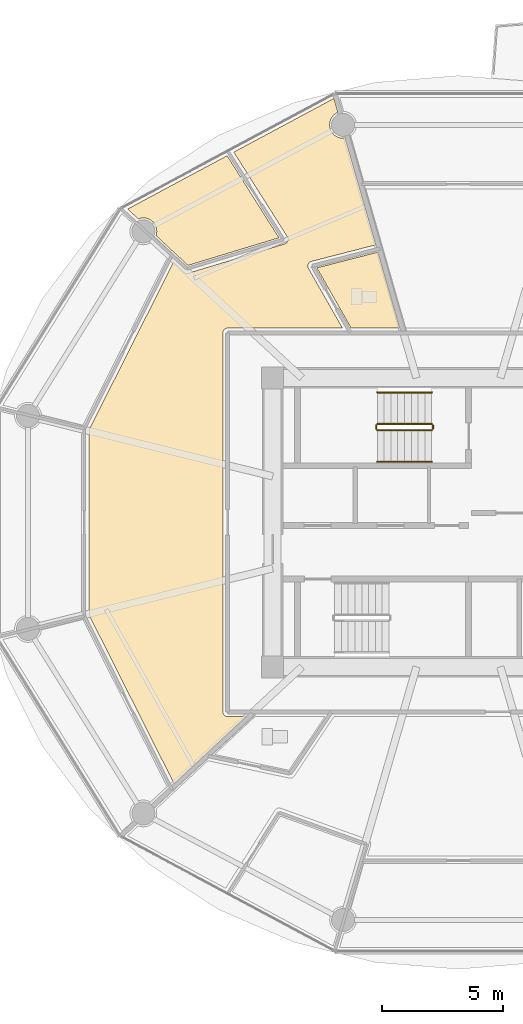
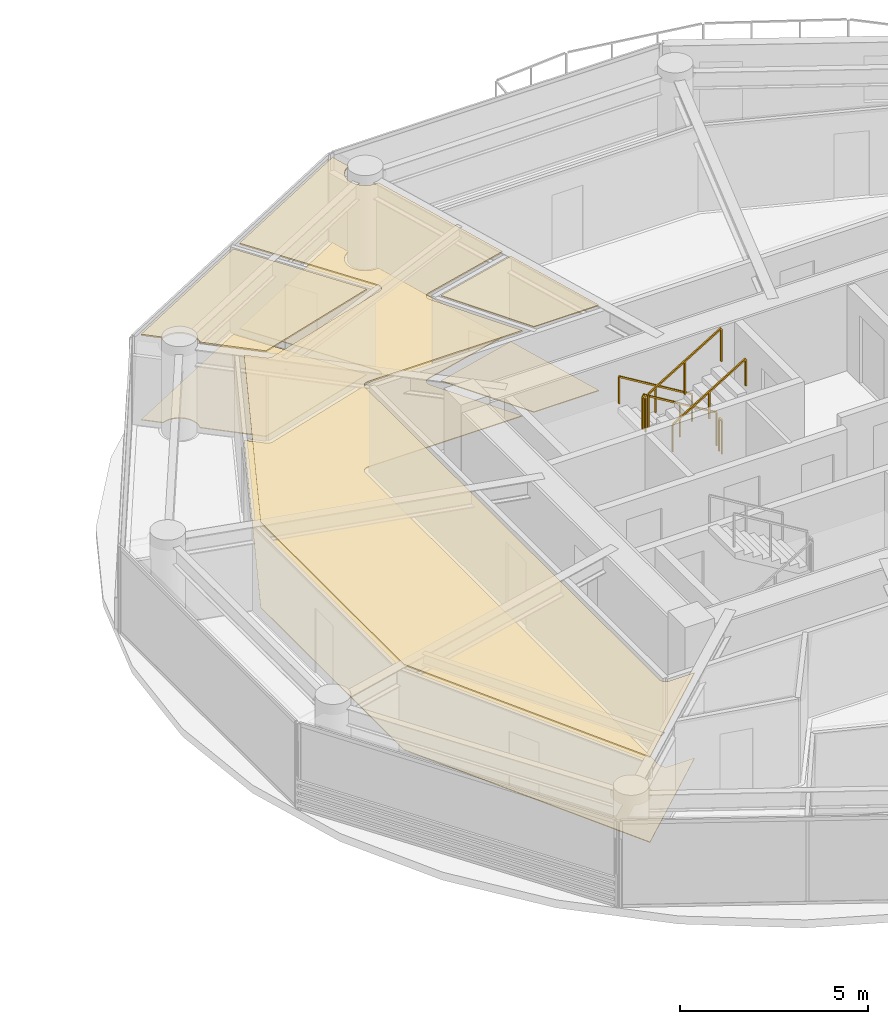
# One storey, part 28 of 31: 6 coverings, 6 railings.
"""IFC4 building model written with IfcOpenShell, lengths in metres."""

from ifc_helpers import new_model, si_unit, direction, frame, origin, origin_2d, place, context, subcontext, project, spatial, polyline, rectangle, outline, extrude, material, layer, layer_set, type_object, element, save


model = new_model("IFC4")

# Units and contexts
model_context = context("Model", 3, precision=1e-05, world=origin(), true_north=direction((0.0, 1.0)))
body_context = subcontext(model_context, "Body", "Model", "MODEL_VIEW")
ifc_project = project(units=[si_unit("LENGTHUNIT", "METRE"), si_unit("AREAUNIT", "SQUARE_METRE"), si_unit("VOLUMEUNIT", "CUBIC_METRE"), si_unit("PLANEANGLEUNIT", "RADIAN"), si_unit("MASSUNIT", "GRAM", prefix="KILO")], contexts=[model_context])

# Site, building, storey
site_placement = place(None, origin())
site = spatial("IfcSite", under=ifc_project, at=site_placement, CompositionType="ELEMENT")
building_placement = place(site_placement, origin())
building = spatial("IfcBuilding", under=site, at=building_placement, Name="Norrkilde Senior Care Towers", CompositionType="ELEMENT")
storey_placement = place(building_placement, frame((0.0, 0.0, 42.949951171875)))
storey = spatial("IfcBuildingStorey", under=building, at=storey_placement, Name="L12", CompositionType="ELEMENT", Elevation=42.949951171875)

# Coverings
ifc_material_1 = material(Name="Nordic Ash Timber", Category="wood")
ifc_layer_1 = layer(ifc_material_1, 0.044921875)
ifc_layer_set_1 = layer_set([ifc_layer_1], Name="Nordic Ash Timber")
covering_type_1 = type_object("IfcCoveringType", Name="Acoustic Ash Timber Slatted Ceiling 45", PredefinedType="CEILING", material=ifc_layer_set_1)
covering_1_placement = place(storey_placement, frame((0.0, 0.0, 2.7451171875)))
element("IfcCovering", 1, at=covering_1_placement, inside=storey, type_object=covering_type_1, Name="L12 Suspended Ceiling 0190", PredefinedType="CEILING", context=body_context, shape_type="SweptSolid", body=[
    extrude(outline(polyline([(18.447509765625, 7.992919921875), (18.436279296875, 7.989501953125), (18.428955078125, 7.98681640625), (18.41796875, 7.982421875), (18.410888671875, 7.97900390625), (18.400634765625, 7.973388671875), (18.393798828125, 7.969482421875), (18.384033203125, 7.962890625), (18.377685546875, 7.958251953125), (18.36865234375, 7.95068359375), (18.36279296875, 7.945556640625), (18.3544921875, 7.937255859375), (18.34912109375, 7.931396484375), (18.341796875, 7.92236328125), (18.337158203125, 7.916015625), (18.33056640625, 7.90625), (18.326416015625, 7.8994140625), (18.321044921875, 7.888916015625), (18.317626953125, 7.8818359375), (18.31298828125, 7.87109375), (18.310546875, 7.86376953125), (18.30712890625, 7.852294921875), (18.30517578125, 7.8447265625), (18.302734375, 7.833251953125), (18.3017578125, 7.825439453125), (18.300537109375, 7.813720703125), (18.300048828125, 7.805908203125), (18.300048828125, 7.800048828125), (18.300048828125, -7.800048828125), (18.300048828125, -7.805908203125), (18.300537109375, -7.813720703125), (18.3017578125, -7.825439453125), (18.302734375, -7.833251953125), (18.30517578125, -7.8447265625), (18.30712890625, -7.852294921875), (18.310546875, -7.86376953125), (18.31298828125, -7.87109375), (18.317626953125, -7.8818359375), (18.321044921875, -7.888916015625), (18.326416015625, -7.8994140625), (18.33056640625, -7.90625), (18.337158203125, -7.916015625), (18.341796875, -7.92236328125), (18.34912109375, -7.931396484375), (18.3544921875, -7.937255859375), (18.36279296875, -7.945556640625), (18.36865234375, -7.95068359375), (18.377685546875, -7.958251953125), (18.384033203125, -7.962890625), (18.393798828125, -7.969482421875), (18.400634765625, -7.973388671875), (18.410888671875, -7.97900390625), (18.41796875, -7.982421875), (18.428955078125, -7.98681640625), (18.436279296875, -7.989501953125), (18.447509765625, -7.992919921875), (18.455322265625, -7.994873046875), (18.466796875, -7.9970703125), (18.474609375, -7.998291015625), (18.486328125, -7.99951171875), (18.494140625, -7.999755859375), (18.5, -8.0), (19.27099609375, -8.0), (16.299560546875, -10.779296875), (12.78369140625, -3.80419921875), (12.78369140625, 3.80419921875), (16.2666015625, 10.714111328125), (16.701171875, 10.3076171875), (16.705322265625, 10.303955078125), (16.71044921875, 10.299560546875), (16.719482421875, 10.29248046875), (16.72509765625, 10.288818359375), (16.734619140625, 10.28271484375), (16.740478515625, 10.279541015625), (16.750732421875, 10.2744140625), (16.7568359375, 10.271484375), (16.767333984375, 10.267578125), (16.773681640625, 10.265380859375), (16.78466796875, 10.26220703125), (16.791259765625, 10.2607421875), (16.802490234375, 10.258544921875), (16.80908203125, 10.2578125), (16.8203125, 10.2568359375), (16.826904296875, 10.256591796875), (16.83837890625, 10.256591796875), (16.84521484375, 10.257080078125), (16.8564453125, 10.25830078125), (16.863037109375, 10.25927734375), (16.874267578125, 10.261474609375), (16.880615234375, 10.26318359375), (16.88623046875, 10.2646484375), (20.8515625, 11.46875), (20.857177734375, 11.470703125), (20.863525390625, 11.472900390625), (20.874267578125, 11.477294921875), (20.88037109375, 11.480224609375), (20.890625, 11.485595703125), (20.896484375, 11.489013671875), (20.90625, 11.49560546875), (20.91162109375, 11.49951171875), (20.920654296875, 11.5068359375), (20.92578125, 11.511474609375), (20.93408203125, 11.51953125), (20.9384765625, 11.5244140625), (20.946044921875, 11.533447265625), (20.9501953125, 11.538818359375), (20.95654296875, 11.54833984375), (20.960205078125, 11.55419921875), (20.9658203125, 11.564453125), (20.96875, 11.570556640625), (20.973388671875, 11.5810546875), (20.9755859375, 11.58740234375), (20.979248046875, 11.5986328125), (20.98095703125, 11.605224609375), (20.9833984375, 11.616455078125), (20.984375, 11.623291015625), (20.98583984375, 11.634765625), (20.986083984375, 11.6416015625), (20.986328125, 11.653076171875), (20.986083984375, 11.659912109375), (20.9853515625, 11.67138671875), (20.984375, 11.67822265625), (20.982421875, 11.689697265625), (20.98095703125, 11.6962890625), (20.977783203125, 11.707275390625), (20.9755859375, 11.7138671875), (20.971435546875, 11.724609375), (20.96875, 11.730712890625), (20.96337890625, 11.7412109375), (20.9599609375, 11.7470703125), (20.95703125, 11.751953125), (18.748779296875, 15.24755859375), (22.87353515625, 17.458984375), (23.039306640625, 16.88037109375), (22.97314453125, 16.85302734375), (22.858154296875, 16.764892578125), (22.77001953125, 16.64990234375), (22.714599609375, 16.51611328125), (22.695556640625, 16.37255859375), (22.714599609375, 16.228759765625), (22.77001953125, 16.094970703125), (22.858154296875, 15.97998046875), (22.97314453125, 15.891845703125), (23.10693359375, 15.83642578125), (23.250732421875, 15.8173828125), (23.34033203125, 15.829345703125), (24.60107421875, 11.42822265625), (21.939697265625, 10.74365234375), (21.934326171875, 10.7421875), (21.927734375, 10.739990234375), (21.916748046875, 10.736083984375), (21.91064453125, 10.7333984375), (21.900146484375, 10.728515625), (21.894287109375, 10.725341796875), (21.88427734375, 10.71923828125), (21.878662109375, 10.715576171875), (21.869384765625, 10.708740234375), (21.864013671875, 10.704345703125), (21.85546875, 10.696533203125), (21.8505859375, 10.69189453125), (21.843017578125, 10.683349609375), (21.838623046875, 10.677978515625), (21.83154296875, 10.668701171875), (21.827880859375, 10.6630859375), (21.82177734375, 10.6533203125), (21.818603515625, 10.647216796875), (21.8134765625, 10.63671875), (21.81103515625, 10.630615234375), (21.806884765625, 10.61962890625), (21.804931640625, 10.61328125), (21.802001953125, 10.60205078125), (21.800537109375, 10.595458984375), (21.798828125, 10.583984375), (21.798095703125, 10.5771484375), (21.79736328125, 10.565673828125), (21.797119140625, 10.558837890625), (21.797607421875, 10.54736328125), (21.798095703125, 10.54052734375), (21.799560546875, 10.529052734375), (21.80078125, 10.5224609375), (21.803466796875, 10.51123046875), (21.805419921875, 10.504638671875), (21.80908203125, 10.49365234375), (21.8115234375, 10.4873046875), (21.816162109375, 10.476806640625), (21.8193359375, 10.470703125), (21.822021484375, 10.465576171875), (23.22607421875, 8.0), (18.5, 8.0), (18.494140625, 7.999755859375), (18.486328125, 7.99951171875), (18.474609375, 7.998291015625), (18.466796875, 7.9970703125), (18.455322265625, 7.994873046875), (18.447509765625, 7.992919921875)])), origin(), (0.0, 0.0, 1.0), 0.044921875),
])
covering_2_placement = place(storey_placement, frame((0.0, 0.0, 2.7451171875)))
element("IfcCovering", 2, at=covering_2_placement, inside=storey, type_object=covering_type_1, Name="L12 Suspended Ceiling 0192", PredefinedType="CEILING", context=body_context, shape_type="SweptSolid", body=[
    extrude(outline(polyline([(15.5478515625, 11.810791015625), (15.560791015625, 11.841796875), (15.57958984375, 11.9853515625), (15.560791015625, 12.129150390625), (15.505126953125, 12.262939453125), (15.4169921875, 12.3779296875), (15.302001953125, 12.466064453125), (15.168212890625, 12.521484375), (15.024658203125, 12.54052734375), (14.880859375, 12.521484375), (14.816650390625, 12.494873046875), (14.37890625, 12.904296875), (18.474853515625, 15.1005859375), (20.61083984375, 11.7197265625), (16.8623046875, 10.581298828125), (15.5478515625, 11.810791015625)])), origin(), (0.0, 0.0, 1.0), 0.044921875),
])
ifc_material_2 = material(Name="Gypsum Acoustic Board")
ifc_layer_2 = layer(ifc_material_2, 0.030029296875)
ifc_layer_set_2 = layer_set([ifc_layer_2], Name="Gypsum Acoustic Board")
covering_type_2 = type_object("IfcCoveringType", Name="Medical Cleanable Gypsum Ceiling 30", PredefinedType="CEILING", material=ifc_layer_set_2)
covering_3_placement = place(storey_placement, frame((0.0, 0.0, 2.760009765625)))
element("IfcCovering", 3, at=covering_3_placement, inside=storey, type_object=covering_type_2, Name="L12 Suspended Ceiling 0191", PredefinedType="CEILING", context=body_context, shape_type="SweptSolid", body=[
    extrude(outline(polyline([(24.681640625, 11.12890625), (25.57958984375, 8.0), (23.582763671875, 8.0), (22.169189453125, 10.482666015625), (24.681640625, 11.12890625)])), origin(), (0.0, 0.0, 1.0), 0.030029296875),
])
ifc_material_3 = material(Name="Slip-Resistant Porcelain Stone", Category="masonry")
ifc_layer_3 = layer(ifc_material_3, 0.02490234375)
ifc_layer_set_3 = layer_set([ifc_layer_3], Name="Slip-Resistant Porcelain Stone")
covering_type_3 = type_object("IfcCoveringType", Name="Slip-Resistant Porcelain Flooring 25", PredefinedType="FLOORING", material=ifc_layer_set_3)
covering_4_placement = place(storey_placement, origin())
element("IfcCovering", 4, at=covering_4_placement, inside=storey, type_object=covering_type_3, Name="L12 Floor Finish 0190", PredefinedType="FLOORING", context=body_context, shape_type="SweptSolid", body=[
    extrude(outline(polyline([(18.447509765625, 7.992919921875), (18.436279296875, 7.989501953125), (18.428955078125, 7.98681640625), (18.41796875, 7.982421875), (18.410888671875, 7.97900390625), (18.400634765625, 7.973388671875), (18.393798828125, 7.969482421875), (18.384033203125, 7.962890625), (18.377685546875, 7.958251953125), (18.36865234375, 7.95068359375), (18.36279296875, 7.945556640625), (18.3544921875, 7.937255859375), (18.34912109375, 7.931396484375), (18.341796875, 7.92236328125), (18.337158203125, 7.916015625), (18.33056640625, 7.90625), (18.326416015625, 7.8994140625), (18.321044921875, 7.888916015625), (18.317626953125, 7.8818359375), (18.31298828125, 7.87109375), (18.310546875, 7.86376953125), (18.30712890625, 7.852294921875), (18.30517578125, 7.8447265625), (18.302734375, 7.833251953125), (18.3017578125, 7.825439453125), (18.300537109375, 7.813720703125), (18.300048828125, 7.805908203125), (18.300048828125, 7.800048828125), (18.300048828125, -7.800048828125), (18.300048828125, -7.805908203125), (18.300537109375, -7.813720703125), (18.3017578125, -7.825439453125), (18.302734375, -7.833251953125), (18.30517578125, -7.8447265625), (18.30712890625, -7.852294921875), (18.310546875, -7.86376953125), (18.31298828125, -7.87109375), (18.317626953125, -7.8818359375), (18.321044921875, -7.888916015625), (18.326416015625, -7.8994140625), (18.33056640625, -7.90625), (18.337158203125, -7.916015625), (18.341796875, -7.92236328125), (18.34912109375, -7.931396484375), (18.3544921875, -7.937255859375), (18.36279296875, -7.945556640625), (18.36865234375, -7.95068359375), (18.377685546875, -7.958251953125), (18.384033203125, -7.962890625), (18.393798828125, -7.969482421875), (18.400634765625, -7.973388671875), (18.410888671875, -7.97900390625), (18.41796875, -7.982421875), (18.428955078125, -7.98681640625), (18.436279296875, -7.989501953125), (18.447509765625, -7.992919921875), (18.455322265625, -7.994873046875), (18.466796875, -7.9970703125), (18.474609375, -7.998291015625), (18.486328125, -7.99951171875), (18.494140625, -7.999755859375), (18.5, -8.0), (19.27099609375, -8.0), (16.299560546875, -10.779296875), (12.78369140625, -3.80419921875), (12.78369140625, 3.80419921875), (16.2666015625, 10.714111328125), (16.701171875, 10.3076171875), (16.705322265625, 10.303955078125), (16.71044921875, 10.299560546875), (16.719482421875, 10.29248046875), (16.72509765625, 10.288818359375), (16.734619140625, 10.28271484375), (16.740478515625, 10.279541015625), (16.750732421875, 10.2744140625), (16.7568359375, 10.271484375), (16.767333984375, 10.267578125), (16.773681640625, 10.265380859375), (16.78466796875, 10.26220703125), (16.791259765625, 10.2607421875), (16.802490234375, 10.258544921875), (16.80908203125, 10.2578125), (16.8203125, 10.2568359375), (16.826904296875, 10.256591796875), (16.83837890625, 10.256591796875), (16.84521484375, 10.257080078125), (16.8564453125, 10.25830078125), (16.863037109375, 10.25927734375), (16.874267578125, 10.261474609375), (16.880615234375, 10.26318359375), (16.88623046875, 10.2646484375), (20.8515625, 11.46875), (20.857177734375, 11.470703125), (20.863525390625, 11.472900390625), (20.874267578125, 11.477294921875), (20.88037109375, 11.480224609375), (20.890625, 11.485595703125), (20.896484375, 11.489013671875), (20.90625, 11.49560546875), (20.91162109375, 11.49951171875), (20.920654296875, 11.5068359375), (20.92578125, 11.511474609375), (20.93408203125, 11.51953125), (20.9384765625, 11.5244140625), (20.946044921875, 11.533447265625), (20.9501953125, 11.538818359375), (20.95654296875, 11.54833984375), (20.960205078125, 11.55419921875), (20.9658203125, 11.564453125), (20.96875, 11.570556640625), (20.973388671875, 11.5810546875), (20.9755859375, 11.58740234375), (20.979248046875, 11.5986328125), (20.98095703125, 11.605224609375), (20.9833984375, 11.616455078125), (20.984375, 11.623291015625), (20.98583984375, 11.634765625), (20.986083984375, 11.6416015625), (20.986328125, 11.653076171875), (20.986083984375, 11.659912109375), (20.9853515625, 11.67138671875), (20.984375, 11.67822265625), (20.982421875, 11.689697265625), (20.98095703125, 11.6962890625), (20.977783203125, 11.707275390625), (20.9755859375, 11.7138671875), (20.971435546875, 11.724609375), (20.96875, 11.730712890625), (20.96337890625, 11.7412109375), (20.9599609375, 11.7470703125), (20.95703125, 11.751953125), (18.748779296875, 15.24755859375), (22.87353515625, 17.458984375), (23.039306640625, 16.88037109375), (22.97314453125, 16.85302734375), (22.858154296875, 16.764892578125), (22.77001953125, 16.64990234375), (22.714599609375, 16.51611328125), (22.695556640625, 16.37255859375), (22.714599609375, 16.228759765625), (22.77001953125, 16.094970703125), (22.858154296875, 15.97998046875), (22.97314453125, 15.891845703125), (23.10693359375, 15.83642578125), (23.250732421875, 15.8173828125), (23.34033203125, 15.829345703125), (24.60107421875, 11.42822265625), (21.939697265625, 10.74365234375), (21.934326171875, 10.7421875), (21.927734375, 10.739990234375), (21.916748046875, 10.736083984375), (21.91064453125, 10.7333984375), (21.900146484375, 10.728515625), (21.894287109375, 10.725341796875), (21.88427734375, 10.71923828125), (21.878662109375, 10.715576171875), (21.869384765625, 10.708740234375), (21.864013671875, 10.704345703125), (21.85546875, 10.696533203125), (21.8505859375, 10.69189453125), (21.843017578125, 10.683349609375), (21.838623046875, 10.677978515625), (21.83154296875, 10.668701171875), (21.827880859375, 10.6630859375), (21.82177734375, 10.6533203125), (21.818603515625, 10.647216796875), (21.8134765625, 10.63671875), (21.81103515625, 10.630615234375), (21.806884765625, 10.61962890625), (21.804931640625, 10.61328125), (21.802001953125, 10.60205078125), (21.800537109375, 10.595458984375), (21.798828125, 10.583984375), (21.798095703125, 10.5771484375), (21.79736328125, 10.565673828125), (21.797119140625, 10.558837890625), (21.797607421875, 10.54736328125), (21.798095703125, 10.54052734375), (21.799560546875, 10.529052734375), (21.80078125, 10.5224609375), (21.803466796875, 10.51123046875), (21.805419921875, 10.504638671875), (21.80908203125, 10.49365234375), (21.8115234375, 10.4873046875), (21.816162109375, 10.476806640625), (21.8193359375, 10.470703125), (21.822021484375, 10.465576171875), (23.22607421875, 8.0), (18.5, 8.0), (18.494140625, 7.999755859375), (18.486328125, 7.99951171875), (18.474609375, 7.998291015625), (18.466796875, 7.9970703125), (18.455322265625, 7.994873046875), (18.447509765625, 7.992919921875)])), origin(), (0.0, 0.0, 1.0), 0.025146484375),
])
covering_5_placement = place(storey_placement, origin())
element("IfcCovering", 5, at=covering_5_placement, inside=storey, type_object=covering_type_3, Name="L12 Floor Finish 0191", PredefinedType="FLOORING", context=body_context, shape_type="SweptSolid", body=[
    extrude(outline(polyline([(24.681640625, 11.12890625), (25.57958984375, 8.0), (23.582763671875, 8.0), (22.169189453125, 10.482666015625), (24.681640625, 11.12890625)])), origin(), (0.0, 0.0, 1.0), 0.025146484375),
])
covering_6_placement = place(storey_placement, origin())
element("IfcCovering", 6, at=covering_6_placement, inside=storey, type_object=covering_type_3, Name="L12 Floor Finish 0192", PredefinedType="FLOORING", context=body_context, shape_type="SweptSolid", body=[
    extrude(outline(polyline([(15.5478515625, 11.810791015625), (15.560791015625, 11.841796875), (15.57958984375, 11.9853515625), (15.560791015625, 12.129150390625), (15.505126953125, 12.262939453125), (15.4169921875, 12.3779296875), (15.302001953125, 12.466064453125), (15.168212890625, 12.521484375), (15.024658203125, 12.54052734375), (14.880859375, 12.521484375), (14.816650390625, 12.494873046875), (14.37890625, 12.904296875), (18.474853515625, 15.1005859375), (20.61083984375, 11.7197265625), (16.8623046875, 10.581298828125), (15.5478515625, 11.810791015625)])), origin(), (0.0, 0.0, 1.0), 0.025146484375),
])

# Railings
ifc_material_4 = material(Name="Stainless Steel", Category="steel")
railing_type_1 = type_object("IfcRailingType", Name="Stair and Terrace Guardrail 1100", PredefinedType="GUARDRAIL", material=ifc_material_4)
railing_1_placement = place(storey_placement, frame((26.89990234375, 4.050048828125, 0.16943359375)))
element("IfcRailing", 7, at=railing_1_placement, inside=storey, type_object=railing_type_1, Name="L12 ST-E1 stair guard 1", PredefinedType="GUARDRAIL", context=body_context, shape_type="SweptSolid", body=[
    extrude(rectangle(XDim=0.048095703125, YDim=0.048095703125, at=origin_2d()), frame((0.0, 0.0, 1.076171875), z_axis=(-0.855512035549, 0.0, 0.517782924622), x_axis=(0.0, -1.0, 0.0)), (0.0, 0.0, 1.0), 2.618408203125),
    extrude(rectangle(XDim=0.0419921875, YDim=0.0419921875, at=origin_2d()), origin(), (0.0, 0.0, 1.0), 1.050048828125),
    extrude(rectangle(XDim=0.0419921875, YDim=0.0419921875, at=origin_2d()), frame((-1.1201171875, 0.0, 0.677734375)), (0.0, 0.0, 1.0), 1.050048828125),
    extrude(rectangle(XDim=0.0419921875, YDim=0.0419921875, at=origin_2d()), frame((-2.239990234375, 0.0, 1.355712890625)), (0.0, 0.0, 1.0), 1.050048828125),
])
railing_2_placement = place(storey_placement, frame((24.610107421875, 4.0, 1.525146484375)))
element("IfcRailing", 8, at=railing_2_placement, inside=storey, type_object=railing_type_1, Name="L12 ST-E1 stair guard 2", PredefinedType="GUARDRAIL", context=body_context, shape_type="SweptSolid", body=[
    extrude(rectangle(XDim=0.048095703125, YDim=0.048095703125, at=origin_2d()), frame((0.0, 0.0, 1.076171875), z_axis=(0.0, -1.0, 0.0), x_axis=(1.0, 0.0, 0.0)), (0.0, 0.0, 1.0), 0.14990234375),
    extrude(rectangle(XDim=0.0419921875, YDim=0.0419921875, at=origin_2d()), origin(), (0.0, 0.0, 1.0), 1.050048828125),
    extrude(rectangle(XDim=0.0419921875, YDim=0.0419921875, at=origin_2d()), frame((0.0, -0.14990234375, 0.0)), (0.0, 0.0, 1.0), 1.050048828125),
])
railing_3_placement = place(storey_placement, frame((24.659912109375, 3.800048828125, 1.694580078125)))
element("IfcRailing", 9, at=railing_3_placement, inside=storey, type_object=railing_type_1, Name="L12 ST-E1 stair guard 3", PredefinedType="GUARDRAIL", context=body_context, shape_type="SweptSolid", body=[
    extrude(rectangle(XDim=0.048095703125, YDim=0.048095703125, at=origin_2d()), frame((0.0, 0.0, 1.076171875), z_axis=(0.855553338991, 0.0, 0.51771467445), x_axis=(0.0, 1.0, 0.0)), (0.0, 0.0, 1.0), 2.6181640625),
    extrude(rectangle(XDim=0.0419921875, YDim=0.0419921875, at=origin_2d()), origin(), (0.0, 0.0, 1.0), 1.050048828125),
    extrude(rectangle(XDim=0.0419921875, YDim=0.0419921875, at=origin_2d()), frame((1.1201171875, 0.0, 0.677734375)), (0.0, 0.0, 1.0), 1.050048828125),
    extrude(rectangle(XDim=0.0419921875, YDim=0.0419921875, at=origin_2d()), frame((2.239990234375, 0.0, 1.35546875)), (0.0, 0.0, 1.0), 1.050048828125),
])
railing_4_placement = place(storey_placement, frame((26.949951171875, 4.0, 0.0)))
element("IfcRailing", 10, at=railing_4_placement, inside=storey, type_object=railing_type_1, Name="L12 ST-E1 stair guard 4", PredefinedType="GUARDRAIL", context=body_context, shape_type="SweptSolid", body=[
    extrude(rectangle(XDim=0.048095703125, YDim=0.048095703125, at=origin_2d()), frame((0.0, 0.0, 1.076171875), z_axis=(0.0, -1.0, 0.0), x_axis=(1.0, 0.0, 0.0)), (0.0, 0.0, 1.0), 0.14990234375),
    extrude(rectangle(XDim=0.0419921875, YDim=0.0419921875, at=origin_2d()), origin(), (0.0, 0.0, 1.0), 1.050048828125),
    extrude(rectangle(XDim=0.0419921875, YDim=0.0419921875, at=origin_2d()), frame((0.0, -0.14990234375, 0.0)), (0.0, 0.0, 1.0), 1.050048828125),
])
railing_type_2 = type_object("IfcRailingType", Name="Wall and Stair Handrail 900", PredefinedType="HANDRAIL", material=ifc_material_1)
railing_5_placement = place(storey_placement, frame((26.89990234375, 5.35009765625, 0.16943359375)))
element("IfcRailing", 11, at=railing_5_placement, inside=storey, type_object=railing_type_2, Name="L12 ST-E1 stair handrail 1", PredefinedType="HANDRAIL", context=body_context, shape_type="SweptSolid", body=[
    extrude(rectangle(XDim=0.048095703125, YDim=0.048095703125, at=origin_2d()), frame((0.0, 0.0, 0.8759765625), z_axis=(-0.855512035549, 0.0, 0.517782924622), x_axis=(0.0, -1.0, 0.0)), (0.0, 0.0, 1.0), 2.618408203125),
    extrude(rectangle(XDim=0.0419921875, YDim=0.0419921875, at=origin_2d()), origin(), (0.0, 0.0, 1.0), 0.849853515625),
    extrude(rectangle(XDim=0.0419921875, YDim=0.0419921875, at=origin_2d()), frame((-1.1201171875, 0.0, 0.677734375)), (0.0, 0.0, 1.0), 0.849853515625),
    extrude(rectangle(XDim=0.0419921875, YDim=0.0419921875, at=origin_2d()), frame((-2.239990234375, 0.0, 1.355712890625)), (0.0, 0.0, 1.0), 0.849853515625),
])
railing_6_placement = place(storey_placement, frame((24.659912109375, 2.5, 1.694580078125)))
element("IfcRailing", 12, at=railing_6_placement, inside=storey, type_object=railing_type_2, Name="L12 ST-E1 stair handrail 2", PredefinedType="HANDRAIL", context=body_context, shape_type="SweptSolid", body=[
    extrude(rectangle(XDim=0.048095703125, YDim=0.048095703125, at=origin_2d()), frame((0.0, 0.0, 0.8759765625), z_axis=(0.855553338991, 0.0, 0.51771467445), x_axis=(0.0, 1.0, 0.0)), (0.0, 0.0, 1.0), 2.6181640625),
    extrude(rectangle(XDim=0.0419921875, YDim=0.0419921875, at=origin_2d()), origin(), (0.0, 0.0, 1.0), 0.849853515625),
    extrude(rectangle(XDim=0.0419921875, YDim=0.0419921875, at=origin_2d()), frame((1.1201171875, 0.0, 0.677734375)), (0.0, 0.0, 1.0), 0.849853515625),
    extrude(rectangle(XDim=0.0419921875, YDim=0.0419921875, at=origin_2d()), frame((2.239990234375, 0.0, 1.35546875)), (0.0, 0.0, 1.0), 0.849853515625),
])

save(model, "model.ifc")
